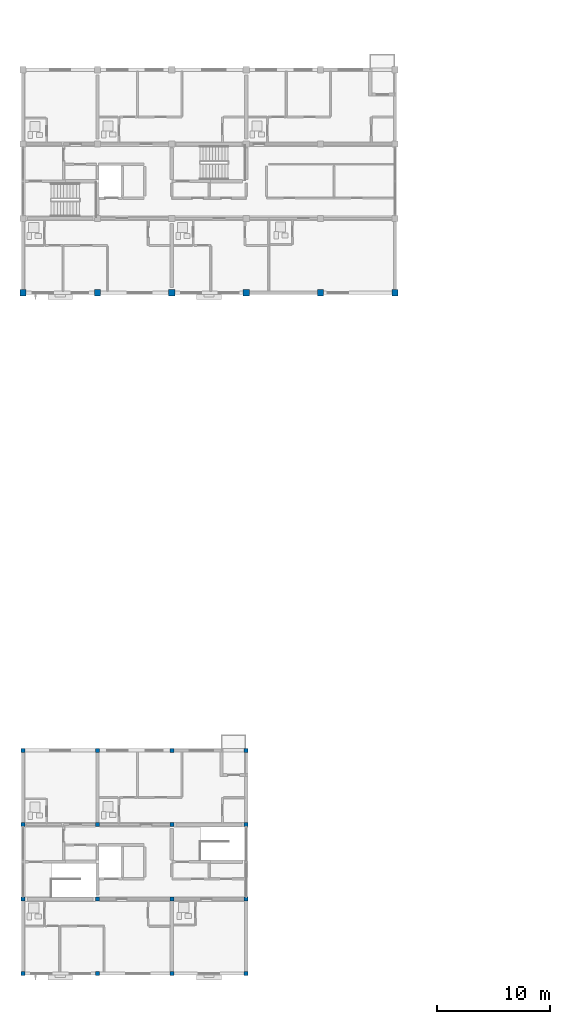
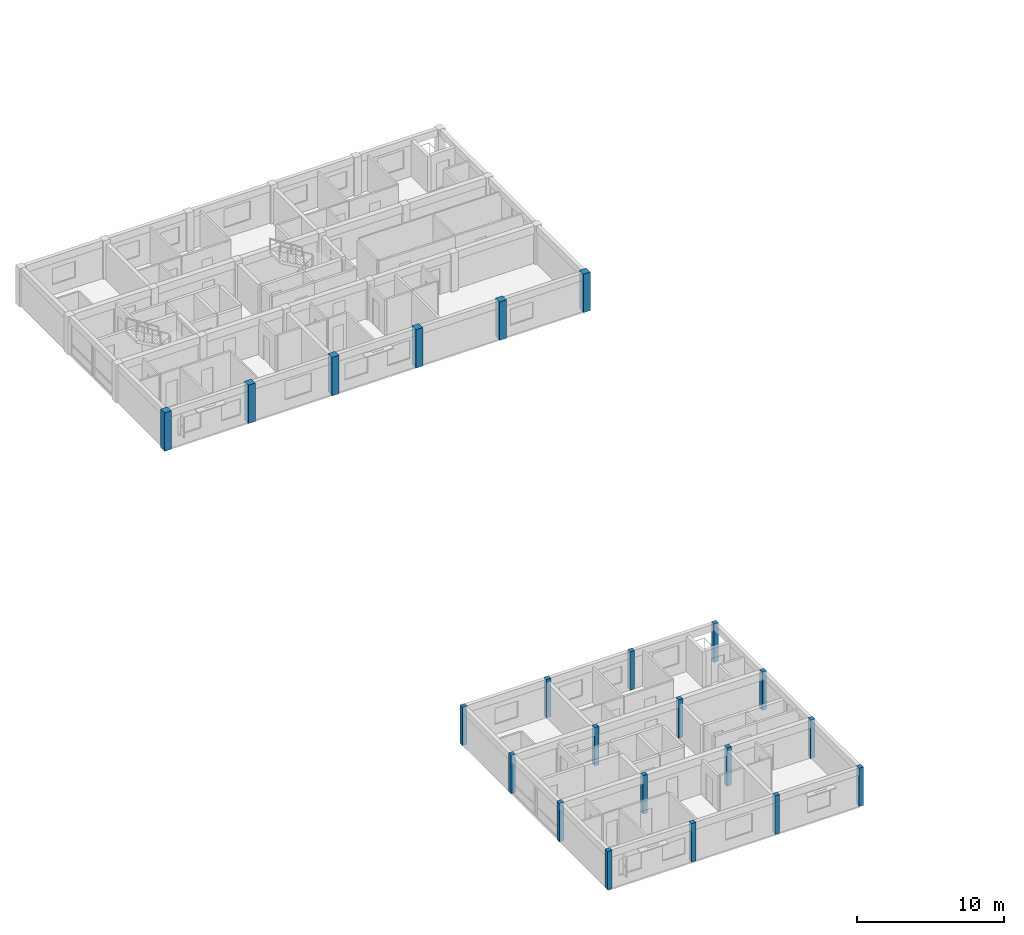
# One storey, part 1 of 49: 22 columns.
"""IFC4 building model written with IfcOpenShell, lengths in metres."""

from ifc_helpers import new_model, si_unit, direction, frame, origin, origin_2d, place, context, subcontext, project, spatial, rectangle, extrude, material, material_profile, profile_set, type_object, element, save


model = new_model("IFC4")

# Units and contexts
model_context = context("Model", 3, precision=1e-05, world=origin(), true_north=direction((0.0, 1.0)))
body_context = subcontext(model_context, "Body", "Model", "MODEL_VIEW")
ifc_project = project(units=[si_unit("LENGTHUNIT", "METRE"), si_unit("AREAUNIT", "SQUARE_METRE"), si_unit("VOLUMEUNIT", "CUBIC_METRE"), si_unit("PLANEANGLEUNIT", "RADIAN"), si_unit("MASSUNIT", "GRAM", prefix="KILO")], contexts=[model_context])

# Site, building, storey
site_placement = place(None, origin())
site = spatial("IfcSite", under=ifc_project, at=site_placement, CompositionType="ELEMENT")
building_placement = place(site_placement, origin())
building = spatial("IfcBuilding", under=site, at=building_placement, Name="Kernevlak Ridge Housing Community", CompositionType="ELEMENT")
storey_placement = place(building_placement, frame((0.0, 0.0, 30.800048828125)))
storey = spatial("IfcBuildingStorey", under=building, at=storey_placement, Name="L09", CompositionType="ELEMENT", Elevation=30.800048828125)

# Columns
ifc_material_1 = material(Name="Concrete C40/50", Category="concrete")
ifc_material_profile_1 = material_profile(ifc_material_1, rectangle(XDim=0.550048828125, YDim=0.550048828125, at=origin_2d()), Name="RC 550x550")
ifc_profile_set_1 = profile_set([ifc_material_profile_1], Name="Concrete C40/50")
column_type_1 = type_object("IfcColumnType", Name="C-02", PredefinedType="COLUMN", material=ifc_profile_set_1)
for number, where, z_axis, x_axis, name in (
    (1, (15.60009765625, 76.0, 0.0), (0.0, 0.0, 1.0), (1.0, 0.0, 0.0), "Column C-02 COL-A-L09-00-0"),
    (2, (22.199951171875, 76.0, 0.0), (0.0, 0.0, 1.0), (1.0, 0.0, 0.0), "Column C-02 COL-A-L09-01-0"),
    (3, (28.800048828125, 76.0, 0.0), (0.0, 0.0, 1.0), (1.0, 0.0, 0.0), "Column C-02 COL-A-L09-02-0"),
    (4, (35.39990234375, 76.0, 0.0), (0.0, 0.0, 1.0), (1.0, 0.0, 0.0), "Column C-02 COL-A-L09-03-0"),
    (5, (42.0, 76.0, 0.0), (0.0, 0.0, 1.0), (1.0, 0.0, 0.0), "Column C-02 COL-A-L09-04-0"),
    (6, (48.60009765625, 76.0, 0.0), (0.0, 0.0, 1.0), (1.0, 0.0, 0.0), "Column C-02 COL-A-L09-05-0"),
):
    element("IfcColumn", number, at=place(storey_placement, frame(where, z_axis=z_axis, x_axis=x_axis)), inside=storey, type_object=column_type_1, Name=name, PredefinedType="COLUMN", context=body_context, shape_type="SweptSolid", body=[
        extrude(rectangle(XDim=0.550048828125, YDim=0.550048828125, at=origin_2d()), origin(), (0.0, 0.0, 1.0), 3.199951171875),
    ])
ifc_material_2 = material(Name="Concrete C35/45", Category="concrete")
ifc_material_profile_2 = material_profile(ifc_material_2, rectangle(XDim=0.35009765625, YDim=0.35009765625, at=origin_2d()), Name="RC 350x350")
ifc_profile_set_2 = profile_set([ifc_material_profile_2], Name="Concrete C35/45")
column_type_2 = type_object("IfcColumnType", Name="C-06", PredefinedType="COLUMN", material=ifc_profile_set_2)
for number, where, z_axis, x_axis, name in (
    (7, (15.60009765625, 15.60009765625, 0.0), (0.0, 0.0, 1.0), (1.0, 0.0, 0.0), "Column C-06 COL-D-L09-00-0"),
    (8, (15.60009765625, 22.199951171875, 0.0), (0.0, 0.0, 1.0), (1.0, 0.0, 0.0), "Column C-06 COL-D-L09-00-1"),
    (9, (15.60009765625, 28.800048828125, 0.0), (0.0, 0.0, 1.0), (1.0, 0.0, 0.0), "Column C-06 COL-D-L09-00-2"),
    (10, (15.60009765625, 35.39990234375, 0.0), (0.0, 0.0, 1.0), (1.0, 0.0, 0.0), "Column C-06 COL-D-L09-00-3"),
    (11, (22.199951171875, 15.60009765625, 0.0), (0.0, 0.0, 1.0), (1.0, 0.0, 0.0), "Column C-06 COL-D-L09-01-0"),
    (12, (22.199951171875, 22.199951171875, 0.0), (0.0, 0.0, 1.0), (1.0, 0.0, 0.0), "Column C-06 COL-D-L09-01-1"),
    (13, (22.199951171875, 28.800048828125, 0.0), (0.0, 0.0, 1.0), (1.0, 0.0, 0.0), "Column C-06 COL-D-L09-01-2"),
    (14, (22.199951171875, 35.39990234375, 0.0), (0.0, 0.0, 1.0), (1.0, 0.0, 0.0), "Column C-06 COL-D-L09-01-3"),
    (15, (28.800048828125, 15.60009765625, 0.0), (0.0, 0.0, 1.0), (1.0, 0.0, 0.0), "Column C-06 COL-D-L09-02-0"),
    (16, (28.800048828125, 22.199951171875, 0.0), (0.0, 0.0, 1.0), (1.0, 0.0, 0.0), "Column C-06 COL-D-L09-02-1"),
    (17, (28.800048828125, 28.800048828125, 0.0), (0.0, 0.0, 1.0), (1.0, 0.0, 0.0), "Column C-06 COL-D-L09-02-2"),
    (18, (28.800048828125, 35.39990234375, 0.0), (0.0, 0.0, 1.0), (1.0, 0.0, 0.0), "Column C-06 COL-D-L09-02-3"),
    (19, (35.39990234375, 15.60009765625, 0.0), (0.0, 0.0, 1.0), (1.0, 0.0, 0.0), "Column C-06 COL-D-L09-03-0"),
    (20, (35.39990234375, 22.199951171875, 0.0), (0.0, 0.0, 1.0), (1.0, 0.0, 0.0), "Column C-06 COL-D-L09-03-1"),
    (21, (35.39990234375, 28.800048828125, 0.0), (0.0, 0.0, 1.0), (1.0, 0.0, 0.0), "Column C-06 COL-D-L09-03-2"),
    (22, (35.39990234375, 35.39990234375, 0.0), (0.0, 0.0, 1.0), (1.0, 0.0, 0.0), "Column C-06 COL-D-L09-03-3"),
):
    element("IfcColumn", number, at=place(storey_placement, frame(where, z_axis=z_axis, x_axis=x_axis)), inside=storey, type_object=column_type_2, Name=name, PredefinedType="COLUMN", context=body_context, shape_type="SweptSolid", body=[
        extrude(rectangle(XDim=0.35009765625, YDim=0.35009765625, at=origin_2d()), origin(), (0.0, 0.0, 1.0), 3.199951171875),
    ])

save(model, "model.ifc")
